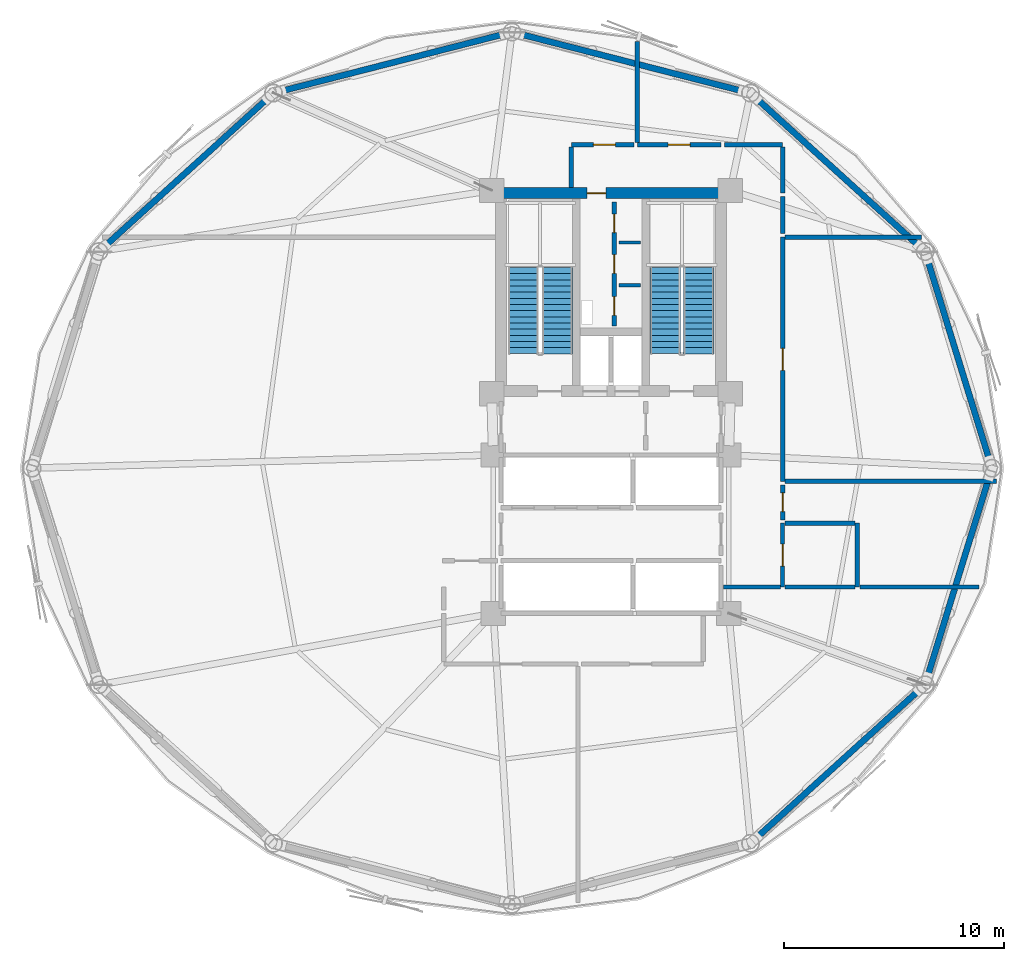
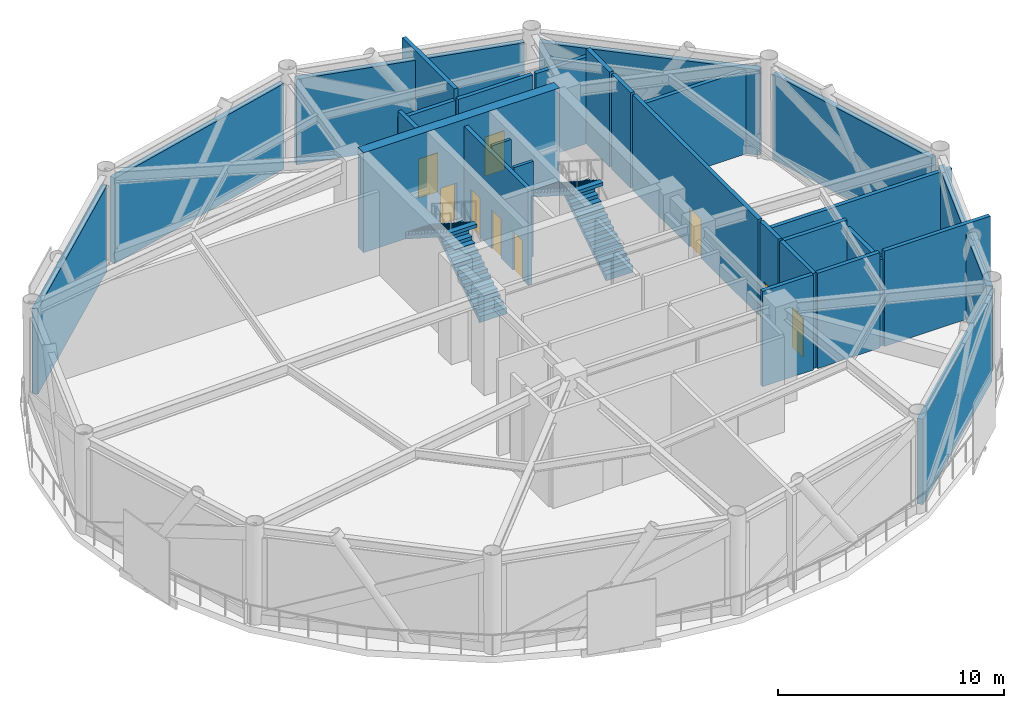
# One storey, part 4 of 8: 28 walls, 9 doors, 4 stair flights, 9 openings, 2 elements without a shape of their own.
"""IFC4 building model written with IfcOpenShell, lengths in metres."""

from ifc_helpers import new_model, si_unit, direction, frame, frame_2d, origin, place, context, subcontext, project, spatial, polyline, rectangle, outline, extrude, material, layer, layer_set, type_object, element, fill, aggregate, save


model = new_model("IFC4")

# Units and contexts
model_context = context("Model", 3, precision=1e-05, world=origin(), true_north=direction((0.0, 1.0)))
body_context = subcontext(model_context, "Body", "Model", "MODEL_VIEW")
ifc_project = project(units=[si_unit("LENGTHUNIT", "METRE"), si_unit("AREAUNIT", "SQUARE_METRE"), si_unit("VOLUMEUNIT", "CUBIC_METRE"), si_unit("PLANEANGLEUNIT", "RADIAN"), si_unit("MASSUNIT", "GRAM", prefix="KILO")], contexts=[model_context])

# Site, building, storey
site_placement = place(None, origin())
site = spatial("IfcSite", under=ifc_project, at=site_placement, CompositionType="ELEMENT")
building_placement = place(site_placement, origin())
building = spatial("IfcBuilding", under=site, at=building_placement, Name="Varnakorn Sky Granary", CompositionType="ELEMENT")
storey_placement = place(building_placement, frame((0.0, 0.0, 78.300048828125)))
storey = spatial("IfcBuildingStorey", under=building, at=storey_placement, Name="L19", CompositionType="ELEMENT", Elevation=78.300048828125)

# Wall, opening, door
ifc_material_1 = material(Name="Concrete C60/75", Category="concrete")
ifc_layer_1 = layer(ifc_material_1, 0.5, Name="Concrete C60/75")
ifc_layer_set_1 = layer_set([ifc_layer_1], Name="Concrete C60/75")
wall_type_1 = type_object("IfcWallType", Name="WT-CW-SHEAR-500", PredefinedType="SHEAR", material=ifc_layer_set_1)
wall_1_placement = place(storey_placement, frame((-2.0, 12.5, 0.0), z_axis=(0.0, 0.0, 1.0), x_axis=(1.0, 0.0, 0.0)))
wall_1 = element("IfcWall", 1, at=wall_1_placement, inside=storey, type_object=wall_type_1, Name="Core North Shear Wall L19", PredefinedType="SHEAR", context=body_context, shape_type="SweptSolid", body=[
    extrude(rectangle(XDim=10.0, YDim=0.5, at=frame_2d((5.0, 0.0))), origin(), (0.0, 0.0, 1.0), 5.391845703125),
])
opening_1_placement = place(wall_1_placement, frame((3.919921875, 0.0, 0.0)))
opening_1 = element("IfcOpeningElement", 2, at=opening_1_placement, cuts=wall_1, Name="Opening FD-60N", PredefinedType="OPENING", context=body_context, shape_type="SweptSolid", body=[
    extrude(rectangle(XDim=0.85009765625, YDim=2.10009765625, at=frame_2d((0.425048828125, 1.050048828125))), frame((0.0, 0.260009765625, 0.0), z_axis=(0.0, -1.0, 0.0), x_axis=(1.0, 0.0, 0.0)), (0.0, 0.0, 1.0), 0.52001953125),
])
ifc_material_2 = material(Name="Acoustic Timber Fire Leaf", Category="wood")
door_type_1 = type_object("IfcDoorType", Name="DR-FD60-850", OperationType="NOTDEFINED", PredefinedType="DOOR", material=ifc_material_2)
door_1_placement = place(opening_1_placement, origin())
door_1 = element("IfcDoor", 3, at=door_1_placement, inside=storey, type_object=door_type_1, Name="Core North Service Door L19", OperationType="SINGLE_SWING_LEFT", OverallHeight=2.10009765625, OverallWidth=0.85009765625, PredefinedType="DOOR", context=body_context, shape_type="SweptSolid", body=[
    extrude(rectangle(XDim=0.85009765625, YDim=2.10009765625, at=frame_2d((0.425048828125, 1.050048828125))), frame((0.0, 0.02490234375, 0.0), z_axis=(0.0, -1.0, 0.0), x_axis=(1.0, 0.0, 0.0)), (0.0, 0.0, 1.0), 0.050048828125),
])
fill(opening_1, door_1)

# Walls
ifc_material_3 = material(Name="Precast concrete C40/50", Category="concrete")
ifc_layer_2 = layer(ifc_material_3, 0.280029296875, Name="Precast concrete C40/50")
ifc_layer_set_2 = layer_set([ifc_layer_2], Name="Precast concrete C40/50")
wall_type_2 = type_object("IfcWallType", Name="WT-EW-CRN-280", PredefinedType="SOLIDWALL", material=ifc_layer_set_2)
wall_2_placement = place(storey_placement, frame((17.378662109375, 9.49658203125, 0.0), z_axis=(0.0, 0.0, 1.0), x_axis=(0.295035078494, -0.955486421912, 0.0)))
element("IfcWall", 4, at=wall_2_placement, inside=storey, type_object=wall_type_2, Name="Agritech Insulated Precast Facade Wall L19-P01", PredefinedType="SOLIDWALL", context=body_context, shape_type="SweptSolid", body=[
    extrude(rectangle(XDim=9.577392578125, YDim=0.280029296875, at=frame_2d((4.78857421875, 0.0))), origin(), (0.0, 0.0, 1.0), 4.60986328125),
])
wall_3_placement = place(storey_placement, frame((9.605712890625, 16.8037109375, 0.0), z_axis=(0.0, 0.0, 1.0), x_axis=(0.740304733589, -0.672271449212, 0.0)))
element("IfcWall", 5, at=wall_3_placement, inside=storey, type_object=wall_type_2, Name="Agritech Insulated Precast Facade Wall L19-P02", PredefinedType="SOLIDWALL", context=body_context, shape_type="SweptSolid", body=[
    extrude(rectangle(XDim=9.994140625, YDim=0.280029296875, at=frame_2d((4.9970703125, 0.0))), origin(), (0.0, 0.0, 1.0), 4.60986328125),
])
for number, where, z_axis, x_axis, name in (
    (6, (-1.14990234375, 19.7294921875, 0.0), (0.0, 0.0, 1.0), (0.968810650848, -0.247802184825, 0.0), "Agritech Insulated Precast Facade Wall L19-P03"),
    (7, (-11.98779296875, 17.136474609375, 0.0), (0.0, 0.0, 1.0), (0.968810650848, 0.247802184825, 0.0), "Agritech Insulated Precast Facade Wall L19-P04"),
):
    element("IfcWall", number, at=place(storey_placement, frame(where, z_axis=z_axis, x_axis=x_axis)), inside=storey, type_object=wall_type_2, Name=name, PredefinedType="SOLIDWALL", context=body_context, shape_type="SweptSolid", body=[
        extrude(rectangle(XDim=10.464111328125, YDim=0.280029296875, at=frame_2d((5.23193359375, 0.0))), origin(), (0.0, 0.0, 1.0), 4.60986328125),
    ])
for number, where, z_axis, x_axis, name in (
    (8, (-20.00439453125, 10.0849609375, 0.0), (0.0, 0.0, 1.0), (0.740304733589, 0.672271449212, 0.0), "Agritech Insulated Precast Facade Wall L19-P05"),
    (9, (17.00439453125, -10.0849609375, 0.0), (0.0, 0.0, 1.0), (-0.740304733589, -0.672271449212, 0.0), "Agritech Insulated Precast Facade Wall L19-P11"),
):
    element("IfcWall", number, at=place(storey_placement, frame(where, z_axis=z_axis, x_axis=x_axis)), inside=storey, type_object=wall_type_2, Name=name, PredefinedType="SOLIDWALL", context=body_context, shape_type="SweptSolid", body=[
        extrude(rectangle(XDim=9.994140625, YDim=0.280029296875, at=frame_2d((4.9970703125, 0.0))), origin(), (0.0, 0.0, 1.0), 4.60986328125),
    ])
wall_4_placement = place(storey_placement, frame((20.204345703125, -0.345458984375, 0.0), z_axis=(0.0, 0.0, 1.0), x_axis=(-0.295035078494, -0.955486421912, 0.0)))
element("IfcWall", 10, at=wall_4_placement, inside=storey, type_object=wall_type_2, Name="Agritech Insulated Precast Facade Wall L19-P12", PredefinedType="SOLIDWALL", context=body_context, shape_type="SweptSolid", body=[
    extrude(rectangle(XDim=9.577392578125, YDim=0.280029296875, at=frame_2d((4.78857421875, 0.0))), origin(), (0.0, 0.0, 1.0), 4.60986328125),
])

# Wall, openings, doors
ifc_material_4 = material(Name="Autoclaved Aerated Concrete Blockwork", Category="masonry")
ifc_layer_3 = layer(ifc_material_4, 0.199951171875, Name="Autoclaved Aerated Concrete Blockwork")
ifc_layer_set_3 = layer_set([ifc_layer_3], Name="Autoclaved Aerated Concrete Blockwork")
wall_type_3 = type_object("IfcWallType", Name="WT-FIRE-200", PredefinedType="MOVABLE", material=ifc_layer_set_3)
wall_5_placement = place(storey_placement, frame((3.14990234375, 6.449951171875, 0.0), z_axis=(0.0, 0.0, 1.0), x_axis=(0.0, 1.0, 0.0)))
wall_5 = element("IfcWall", 11, at=wall_5_placement, inside=storey, type_object=wall_type_3, Name="Interior Partition Wall L19-015", PredefinedType="MOVABLE", context=body_context, shape_type="SweptSolid", body=[
    extrude(rectangle(XDim=5.650146484375, YDim=0.199951171875, at=frame_2d((2.8251953125, 0.0))), origin(), (0.0, 0.0, 1.0), 5.139892578125),
])
opening_2_placement = place(wall_5_placement, frame((0.5, 0.0, 0.0)))
opening_2 = element("IfcOpeningElement", 12, at=opening_2_placement, cuts=wall_5, Name="Opening FD-60N", PredefinedType="OPENING", context=body_context, shape_type="SweptSolid", body=[
    extrude(rectangle(XDim=0.85009765625, YDim=2.10009765625, at=frame_2d((0.425048828125, 1.050048828125))), frame((0.0, 0.10986328125, 0.0), z_axis=(0.0, -1.0, 0.0), x_axis=(1.0, 0.0, 0.0)), (0.0, 0.0, 1.0), 0.219970703125),
])
opening_3_placement = place(wall_5_placement, frame((2.39990234375, 0.0, 0.0)))
opening_3 = element("IfcOpeningElement", 13, at=opening_3_placement, cuts=wall_5, Name="Opening FD-60N", PredefinedType="OPENING", context=body_context, shape_type="SweptSolid", body=[
    extrude(rectangle(XDim=0.85009765625, YDim=2.10009765625, at=frame_2d((0.425048828125, 1.050048828125))), frame((0.0, 0.10986328125, 0.0), z_axis=(0.0, -1.0, 0.0), x_axis=(1.0, 0.0, 0.0)), (0.0, 0.0, 1.0), 0.219970703125),
])
opening_4_placement = place(wall_5_placement, frame((4.25, 0.0, 0.0)))
opening_4 = element("IfcOpeningElement", 14, at=opening_4_placement, cuts=wall_5, Name="Opening FD-60N", PredefinedType="OPENING", context=body_context, shape_type="SweptSolid", body=[
    extrude(rectangle(XDim=0.85009765625, YDim=2.10009765625, at=frame_2d((0.425048828125, 1.050048828125))), frame((0.0, 0.10986328125, 0.0), z_axis=(0.0, -1.0, 0.0), x_axis=(1.0, 0.0, 0.0)), (0.0, 0.0, 1.0), 0.219970703125),
])
door_2_placement = place(opening_2_placement, origin())
door_2 = element("IfcDoor", 15, at=door_2_placement, inside=storey, type_object=door_type_1, Name="Interior Door L19-015-1", OperationType="SINGLE_SWING_RIGHT", OverallHeight=2.10009765625, OverallWidth=0.85009765625, PredefinedType="DOOR", context=body_context, shape_type="SweptSolid", body=[
    extrude(rectangle(XDim=0.85009765625, YDim=2.10009765625, at=frame_2d((0.425048828125, 1.050048828125))), frame((0.0, 0.02490234375, 0.0), z_axis=(0.0, -1.0, 0.0), x_axis=(1.0, 0.0, 0.0)), (0.0, 0.0, 1.0), 0.050048828125),
])
fill(opening_2, door_2)
door_3_placement = place(opening_3_placement, origin())
door_3 = element("IfcDoor", 16, at=door_3_placement, inside=storey, type_object=door_type_1, Name="Interior Door L19-015-2", OperationType="SINGLE_SWING_LEFT", OverallHeight=2.10009765625, OverallWidth=0.85009765625, PredefinedType="DOOR", context=body_context, shape_type="SweptSolid", body=[
    extrude(rectangle(XDim=0.85009765625, YDim=2.10009765625, at=frame_2d((0.425048828125, 1.050048828125))), frame((0.0, 0.02490234375, 0.0), z_axis=(0.0, -1.0, 0.0), x_axis=(1.0, 0.0, 0.0)), (0.0, 0.0, 1.0), 0.050048828125),
])
fill(opening_3, door_3)
door_4_placement = place(opening_4_placement, origin())
door_4 = element("IfcDoor", 17, at=door_4_placement, inside=storey, type_object=door_type_1, Name="Interior Door L19-015-3", OperationType="SINGLE_SWING_RIGHT", OverallHeight=2.10009765625, OverallWidth=0.85009765625, PredefinedType="DOOR", context=body_context, shape_type="SweptSolid", body=[
    extrude(rectangle(XDim=0.85009765625, YDim=2.10009765625, at=frame_2d((0.425048828125, 1.050048828125))), frame((0.0, 0.02490234375, 0.0), z_axis=(0.0, -1.0, 0.0), x_axis=(1.0, 0.0, 0.0)), (0.0, 0.0, 1.0), 0.050048828125),
])
fill(opening_4, door_4)

# Wall, opening, door
wall_6_placement = place(storey_placement, frame((8.0, 14.699951171875, 0.0), z_axis=(0.0, 0.0, 1.0), x_axis=(-1.0, 0.0, 0.0)))
wall_6 = element("IfcWall", 18, at=wall_6_placement, inside=storey, type_object=wall_type_3, Name="Interior Partition Wall L19-023", PredefinedType="MOVABLE", context=body_context, shape_type="SweptSolid", body=[
    extrude(rectangle(XDim=3.800048828125, YDim=0.199951171875, at=frame_2d((1.89990234375, 0.0))), origin(), (0.0, 0.0, 1.0), 4.671875),
])
opening_5_placement = place(wall_6_placement, frame((1.39990234375, 0.0, 0.0)))
opening_5 = element("IfcOpeningElement", 19, at=opening_5_placement, cuts=wall_6, Name="Opening FD-60", PredefinedType="OPENING", context=body_context, shape_type="SweptSolid", body=[
    extrude(rectangle(XDim=1.0, YDim=2.10009765625, at=frame_2d((0.5, 1.050048828125))), frame((0.0, 0.10986328125, 0.0), z_axis=(0.0, -1.0, 0.0), x_axis=(1.0, 0.0, 0.0)), (0.0, 0.0, 1.0), 0.219970703125),
])
door_type_2 = type_object("IfcDoorType", Name="DR-FD60-1000", OperationType="NOTDEFINED", PredefinedType="DOOR", material=ifc_material_2)
door_5_placement = place(opening_5_placement, origin())
door_5 = element("IfcDoor", 20, at=door_5_placement, inside=storey, type_object=door_type_2, Name="Interior Door L19-023-1", OperationType="SINGLE_SWING_RIGHT", OverallHeight=2.10009765625, OverallWidth=1.0, PredefinedType="DOOR", context=body_context, shape_type="SweptSolid", body=[
    extrude(rectangle(XDim=1.0, YDim=2.10009765625, at=frame_2d((0.5, 1.050048828125))), frame((0.0, 0.02490234375, 0.0), z_axis=(0.0, -1.0, 0.0), x_axis=(1.0, 0.0, 0.0)), (0.0, 0.0, 1.0), 0.050048828125),
])
fill(opening_5, door_5)

wall_7_placement = place(storey_placement, frame((4.0400390625, 14.699951171875, 0.0), z_axis=(0.0, 0.0, 1.0), x_axis=(-1.0, 0.0, 0.0)))
wall_7 = element("IfcWall", 21, at=wall_7_placement, inside=storey, type_object=wall_type_3, Name="Interior Partition Wall L19-024", PredefinedType="MOVABLE", context=body_context, shape_type="SweptSolid", body=[
    extrude(rectangle(XDim=2.840087890625, YDim=0.199951171875, at=frame_2d((1.419921875, 0.0))), origin(), (0.0, 0.0, 1.0), 4.671875),
])
opening_6_placement = place(wall_7_placement, frame((0.840087890625, 0.0, 0.0)))
opening_6 = element("IfcOpeningElement", 22, at=opening_6_placement, cuts=wall_7, Name="Opening FD-60", PredefinedType="OPENING", context=body_context, shape_type="SweptSolid", body=[
    extrude(rectangle(XDim=1.0, YDim=2.10009765625, at=frame_2d((0.5, 1.050048828125))), frame((0.0, 0.10986328125, 0.0), z_axis=(0.0, -1.0, 0.0), x_axis=(1.0, 0.0, 0.0)), (0.0, 0.0, 1.0), 0.219970703125),
])
door_6_placement = place(opening_6_placement, origin())
door_6 = element("IfcDoor", 23, at=door_6_placement, inside=storey, type_object=door_type_2, Name="Interior Door L19-024-1", OperationType="SINGLE_SWING_LEFT", OverallHeight=2.10009765625, OverallWidth=1.0, PredefinedType="DOOR", context=body_context, shape_type="SweptSolid", body=[
    extrude(rectangle(XDim=1.0, YDim=2.10009765625, at=frame_2d((0.5, 1.050048828125))), frame((0.0, 0.02490234375, 0.0), z_axis=(0.0, -1.0, 0.0), x_axis=(1.0, 0.0, 0.0)), (0.0, 0.0, 1.0), 0.050048828125),
])
fill(opening_6, door_6)

wall_8_placement = place(storey_placement, frame((10.800048828125, -0.60009765625, 0.0), z_axis=(0.0, 0.0, 1.0), x_axis=(0.0, 1.0, 0.0)))
wall_8 = element("IfcWall", 24, at=wall_8_placement, inside=storey, type_object=wall_type_3, Name="Interior Partition Wall L19-025", PredefinedType="MOVABLE", context=body_context, shape_type="SweptSolid", body=[
    extrude(rectangle(XDim=11.10009765625, YDim=0.199951171875, at=frame_2d((5.550048828125, 0.0))), origin(), (0.0, 0.0, 1.0), 5.139892578125),
])
opening_7_placement = place(wall_8_placement, frame((5.050048828125, 0.0, 0.0)))
opening_7 = element("IfcOpeningElement", 25, at=opening_7_placement, cuts=wall_8, Name="Opening FD-60", PredefinedType="OPENING", context=body_context, shape_type="SweptSolid", body=[
    extrude(rectangle(XDim=1.0, YDim=2.10009765625, at=frame_2d((0.5, 1.050048828125))), frame((0.0, 0.10986328125, 0.0), z_axis=(0.0, -1.0, 0.0), x_axis=(1.0, 0.0, 0.0)), (0.0, 0.0, 1.0), 0.219970703125),
])
door_7_placement = place(opening_7_placement, origin())
door_7 = element("IfcDoor", 26, at=door_7_placement, inside=storey, type_object=door_type_2, Name="Interior Door L19-025-1", OperationType="SINGLE_SWING_RIGHT", OverallHeight=2.10009765625, OverallWidth=1.0, PredefinedType="DOOR", context=body_context, shape_type="SweptSolid", body=[
    extrude(rectangle(XDim=1.0, YDim=2.10009765625, at=frame_2d((0.5, 1.050048828125))), frame((0.0, 0.02490234375, 0.0), z_axis=(0.0, -1.0, 0.0), x_axis=(1.0, 0.0, 0.0)), (0.0, 0.0, 1.0), 0.050048828125),
])
fill(opening_7, door_7)

wall_9_placement = place(storey_placement, frame((10.800048828125, -2.35009765625, 0.0), z_axis=(0.0, 0.0, 1.0), x_axis=(0.0, 1.0, 0.0)))
wall_9 = element("IfcWall", 27, at=wall_9_placement, inside=storey, type_object=wall_type_3, Name="Interior Partition Wall L19-026", PredefinedType="MOVABLE", context=body_context, shape_type="SweptSolid", body=[
    extrude(rectangle(XDim=1.590087890625, YDim=0.199951171875, at=frame_2d((0.794921875, 0.0))), origin(), (0.0, 0.0, 1.0), 5.139892578125),
])
opening_8_placement = place(wall_9_placement, frame((0.375, 0.0, 0.0)))
opening_8 = element("IfcOpeningElement", 28, at=opening_8_placement, cuts=wall_9, Name="Opening FD-60N", PredefinedType="OPENING", context=body_context, shape_type="SweptSolid", body=[
    extrude(rectangle(XDim=0.85009765625, YDim=2.10009765625, at=frame_2d((0.425048828125, 1.050048828125))), frame((0.0, 0.10986328125, 0.0), z_axis=(0.0, -1.0, 0.0), x_axis=(1.0, 0.0, 0.0)), (0.0, 0.0, 1.0), 0.219970703125),
])
door_8_placement = place(opening_8_placement, origin())
door_8 = element("IfcDoor", 29, at=door_8_placement, inside=storey, type_object=door_type_1, Name="Interior Door L19-026-1", OperationType="SINGLE_SWING_LEFT", OverallHeight=2.10009765625, OverallWidth=0.85009765625, PredefinedType="DOOR", context=body_context, shape_type="SweptSolid", body=[
    extrude(rectangle(XDim=0.85009765625, YDim=2.10009765625, at=frame_2d((0.425048828125, 1.050048828125))), frame((0.0, 0.02490234375, 0.0), z_axis=(0.0, -1.0, 0.0), x_axis=(1.0, 0.0, 0.0)), (0.0, 0.0, 1.0), 0.050048828125),
])
fill(opening_8, door_8)

# Walls
wall_10_placement = place(storey_placement, frame((10.800048828125, 14.699951171875, 0.0), z_axis=(0.0, 0.0, 1.0), x_axis=(-1.0, 0.0, 0.0)))
element("IfcWall", 30, at=wall_10_placement, inside=storey, type_object=wall_type_3, Name="Interior Partition Wall L19-032", PredefinedType="MOVABLE", context=body_context, shape_type="SweptSolid", body=[
    extrude(rectangle(XDim=2.64013671875, YDim=0.199951171875, at=frame_2d((1.320068359375, 0.0))), origin(), (0.0, 0.0, 1.0), 4.671875),
])
wall_11_placement = place(storey_placement, frame((10.800048828125, 12.5, 0.0), z_axis=(0.0, 0.0, 1.0), x_axis=(0.0, 1.0, 0.0)))
element("IfcWall", 31, at=wall_11_placement, inside=storey, type_object=wall_type_3, Name="Interior Partition Wall L19-033", PredefinedType="MOVABLE", context=body_context, shape_type="SweptSolid", body=[
    extrude(rectangle(XDim=2.090087890625, YDim=0.199951171875, at=frame_2d((1.044921875, 0.0))), origin(), (0.0, 0.0, 1.0), 5.139892578125),
])
wall_12_placement = place(storey_placement, frame((10.800048828125, 10.659912109375, 0.0), z_axis=(0.0, 0.0, 1.0), x_axis=(0.0, 1.0, 0.0)))
element("IfcWall", 32, at=wall_12_placement, inside=storey, type_object=wall_type_3, Name="Interior Partition Wall L19-034", PredefinedType="MOVABLE", context=body_context, shape_type="SweptSolid", body=[
    extrude(rectangle(XDim=1.68017578125, YDim=0.199951171875, at=frame_2d((0.840087890625, 0.0))), origin(), (0.0, 0.0, 1.0), 5.139892578125),
])
wall_13_placement = place(storey_placement, frame((1.199951171875, 14.590087890625, 0.0), z_axis=(0.0, 0.0, 1.0), x_axis=(0.0, -1.0, 0.0)))
element("IfcWall", 33, at=wall_13_placement, inside=storey, type_object=wall_type_3, Name="Interior Partition Wall L19-035", PredefinedType="MOVABLE", context=body_context, shape_type="SweptSolid", body=[
    extrude(rectangle(XDim=1.830078125, YDim=0.199951171875, at=frame_2d((0.9150390625, 0.0))), origin(), (0.0, 0.0, 1.0), 5.139892578125),
])
wall_14_placement = place(storey_placement, frame((8.110107421875, -5.39990234375, 0.0), z_axis=(0.0, 0.0, 1.0), x_axis=(1.0, 0.0, 0.0)))
element("IfcWall", 34, at=wall_14_placement, inside=storey, type_object=wall_type_3, Name="Interior Partition Wall L19-039", PredefinedType="MOVABLE", context=body_context, shape_type="SweptSolid", body=[
    extrude(rectangle(XDim=2.58984375, YDim=0.199951171875, at=frame_2d((1.294921875, 0.0))), origin(), (0.0, 0.0, 1.0), 5.139892578125),
])
wall_15_placement = place(storey_placement, frame((14.199951171875, -2.5, 0.0), z_axis=(0.0, 0.0, 1.0), x_axis=(0.0, -1.0, 0.0)))
element("IfcWall", 35, at=wall_15_placement, inside=storey, type_object=wall_type_3, Name="Interior Partition Wall L19-041", PredefinedType="MOVABLE", context=body_context, shape_type="SweptSolid", body=[
    extrude(rectangle(XDim=2.89990234375, YDim=0.199951171875, at=frame_2d((1.449951171875, 0.0))), origin(), (0.0, 0.0, 1.0), 4.671875),
])
wall_16_placement = place(storey_placement, frame((10.89990234375, -2.5, 0.0), z_axis=(0.0, 0.0, 1.0), x_axis=(1.0, 0.0, 0.0)))
element("IfcWall", 36, at=wall_16_placement, inside=storey, type_object=wall_type_3, Name="Interior Partition Wall L19-042", PredefinedType="MOVABLE", context=body_context, shape_type="SweptSolid", body=[
    extrude(rectangle(XDim=3.190185546875, YDim=0.199951171875, at=frame_2d((1.59521484375, 0.0))), origin(), (0.0, 0.0, 1.0), 5.139892578125),
])
wall_17_placement = place(storey_placement, frame((14.090087890625, -5.39990234375, 0.0), z_axis=(0.0, 0.0, 1.0), x_axis=(-1.0, 0.0, 0.0)))
element("IfcWall", 37, at=wall_17_placement, inside=storey, type_object=wall_type_3, Name="Interior Partition Wall L19-043", PredefinedType="MOVABLE", context=body_context, shape_type="SweptSolid", body=[
    extrude(rectangle(XDim=3.18017578125, YDim=0.199951171875, at=frame_2d((1.590087890625, 0.0))), origin(), (0.0, 0.0, 1.0), 5.139892578125),
])
wall_18_placement = place(storey_placement, frame((4.199951171875, 14.81005859375, 0.0), z_axis=(0.0, 0.0, 1.0), x_axis=(0.0, 1.0, 0.0)))
element("IfcWall", 38, at=wall_18_placement, inside=storey, type_object=wall_type_3, Name="Interior Partition Wall L19-044", PredefinedType="MOVABLE", context=body_context, shape_type="SweptSolid", body=[
    extrude(rectangle(XDim=4.5908203125, YDim=0.199951171875, at=frame_2d((2.29541015625, 0.0))), origin(), (0.0, 0.0, 1.0), 5.139892578125),
])
wall_19_placement = place(storey_placement, frame((17.10888671875, 10.5, 0.0), z_axis=(0.0, 0.0, 1.0), x_axis=(-1.0, 0.0, 0.0)))
element("IfcWall", 39, at=wall_19_placement, inside=storey, type_object=wall_type_3, Name="Interior Partition Wall L19-045", PredefinedType="MOVABLE", context=body_context, shape_type="SweptSolid", body=[
    extrude(rectangle(XDim=6.198974609375, YDim=0.199951171875, at=frame_2d((3.099609375, 0.0))), origin(), (0.0, 0.0, 1.0), 4.52197265625),
])
wall_20_placement = place(storey_placement, frame((20.529052734375, -0.60009765625, 0.0), z_axis=(0.0, 0.0, 1.0), x_axis=(-1.0, 0.0, 0.0)))
element("IfcWall", 40, at=wall_20_placement, inside=storey, type_object=wall_type_3, Name="Interior Partition Wall L19-046", PredefinedType="MOVABLE", context=body_context, shape_type="SweptSolid", body=[
    extrude(rectangle(XDim=9.619140625, YDim=0.199951171875, at=frame_2d((4.8095703125, 0.0))), origin(), (0.0, 0.0, 1.0), 4.52197265625),
])
wall_21_placement = place(storey_placement, frame((19.72802734375, -5.39990234375, 0.0), z_axis=(0.0, 0.0, 1.0), x_axis=(-1.0, 0.0, 0.0)))
element("IfcWall", 41, at=wall_21_placement, inside=storey, type_object=wall_type_3, Name="Interior Partition Wall L19-047", PredefinedType="MOVABLE", context=body_context, shape_type="SweptSolid", body=[
    extrude(rectangle(XDim=5.41796875, YDim=0.199951171875, at=frame_2d((2.708984375, 0.0))), origin(), (0.0, 0.0, 1.0), 5.139892578125),
])
ifc_material_5 = material(Name="Gypsum Plasterboard on Steel Stud", Category="steel")
ifc_layer_4 = layer(ifc_material_5, 0.14990234375, Name="Gypsum Plasterboard on Steel Stud")
ifc_layer_set_4 = layer_set([ifc_layer_4], Name="Gypsum Plasterboard on Steel Stud")
wall_type_4 = type_object("IfcWallType", Name="WT-PART-150", PredefinedType="PARTITIONING", material=ifc_layer_set_4)
for number, where, z_axis, x_axis, name in (
    (42, (3.3701171875, 8.320068359375, 0.0), (0.0, 0.0, 1.0), (1.0, 0.0, 0.0), "Interior Partition Wall L19-029"),
    (43, (3.3701171875, 10.260009765625, 0.0), (0.0, 0.0, 1.0), (1.0, 0.0, 0.0), "Interior Partition Wall L19-030"),
):
    element("IfcWall", number, at=place(storey_placement, frame(where, z_axis=z_axis, x_axis=x_axis)), inside=storey, type_object=wall_type_4, Name=name, PredefinedType="PARTITIONING", context=body_context, shape_type="SweptSolid", body=[
        extrude(rectangle(XDim=0.97998046875, YDim=0.14990234375, at=frame_2d((0.489990234375, 0.0))), origin(), (0.0, 0.0, 1.0), 5.139892578125),
    ])

# Wall, opening, door
ifc_material_6 = material(Name="Moisture-Resistant Gypsum on Stud", Category="gypsum")
ifc_layer_5 = layer(ifc_material_6, 0.179931640625, Name="Moisture-Resistant Gypsum on Stud")
ifc_layer_set_5 = layer_set([ifc_layer_5], Name="Moisture-Resistant Gypsum on Stud")
wall_type_5 = type_object("IfcWallType", Name="WT-PLUMB-180", PredefinedType="PLUMBINGWALL", material=ifc_layer_set_5)
wall_22_placement = place(storey_placement, frame((10.800048828125, -5.39990234375, 0.0), z_axis=(0.0, 0.0, 1.0), x_axis=(0.0, 1.0, 0.0)))
wall_22 = element("IfcWall", 44, at=wall_22_placement, inside=storey, type_object=wall_type_5, Name="Interior Partition Wall L19-022", PredefinedType="PLUMBINGWALL", context=body_context, shape_type="SweptSolid", body=[
    extrude(rectangle(XDim=2.89990234375, YDim=0.179931640625, at=frame_2d((1.449951171875, 0.0))), origin(), (0.0, 0.0, 1.0), 5.139892578125),
])
opening_9_placement = place(wall_22_placement, frame((0.949951171875, 0.0, 0.0)))
opening_9 = element("IfcOpeningElement", 45, at=opening_9_placement, cuts=wall_22, Name="Opening ID-100", PredefinedType="OPENING", context=body_context, shape_type="SweptSolid", body=[
    extrude(rectangle(XDim=1.0, YDim=2.10009765625, at=frame_2d((0.5, 1.050048828125))), frame((0.0, 0.10009765625, 0.0), z_axis=(0.0, -1.0, 0.0), x_axis=(1.0, 0.0, 0.0)), (0.0, 0.0, 1.0), 0.199951171875),
])
ifc_material_7 = material(Name="Solid-Core Teak Veneer Leaf", Category="timber")
door_type_3 = type_object("IfcDoorType", Name="DR-INT-1000", OperationType="NOTDEFINED", PredefinedType="DOOR", material=ifc_material_7)
door_9_placement = place(opening_9_placement, origin())
door_9 = element("IfcDoor", 46, at=door_9_placement, inside=storey, type_object=door_type_3, Name="Interior Door L19-022-1", OperationType="SINGLE_SWING_LEFT", OverallHeight=2.10009765625, OverallWidth=1.0, PredefinedType="DOOR", context=body_context, shape_type="SweptSolid", body=[
    extrude(rectangle(XDim=1.0, YDim=2.10009765625, at=frame_2d((0.5, 1.050048828125))), frame((0.0, 0.02490234375, 0.0), z_axis=(0.0, -1.0, 0.0), x_axis=(1.0, 0.0, 0.0)), (0.0, 0.0, 1.0), 0.050048828125),
])
fill(opening_9, door_9)

# Stair, stair flights
ifc_material_8 = material(Name="Concrete C40/50", Category="concrete")
stair_type = type_object("IfcStairType", Name="ST-MAIN-ASSEMBLY", PredefinedType="HALF_TURN_STAIR", material=ifc_material_8)
stair_1_placement = place(storey_placement, origin())
stair_1 = element("IfcStair", 47, at=stair_1_placement, inside=storey, type_object=stair_type, Name="L19 Protected Exit Stair ST-1", PredefinedType="HALF_TURN_STAIR")
stair_flight_type = type_object("IfcStairFlightType", Name="ST-MAIN-FLIGHT", PredefinedType="STRAIGHT", material=ifc_material_8)
stair_flight_1_placement = place(storey_placement, frame((0.550048828125, 5.199951171875, 0.0), z_axis=(0.0, 0.0, 1.0), x_axis=(0.0, 1.0, 0.0)))
stair_flight_1 = element("IfcStairFlight", 48, at=stair_flight_1_placement, type_object=stair_flight_type, Name="ST-1 flight 1", NumberOfRisers=15, NumberOfTreads=14, PredefinedType="STRAIGHT", RiserHeight=0.18, TreadLength=0.28, context=body_context, shape_type="SweptSolid", body=[
    extrude(outline(polyline([(0.0, -0.14990234375), (0.0, 0.0), (0.0, 0.179931640625), (0.280029296875, 0.179931640625), (0.280029296875, 0.360107421875), (0.56005859375, 0.360107421875), (0.56005859375, 0.5400390625), (0.840087890625, 0.5400390625), (0.840087890625, 0.719970703125), (1.1201171875, 0.719970703125), (1.1201171875, 0.89990234375), (1.39990234375, 0.89990234375), (1.39990234375, 1.080078125), (1.679931640625, 1.080078125), (1.679931640625, 1.260009765625), (1.9599609375, 1.260009765625), (1.9599609375, 1.43994140625), (2.239990234375, 1.43994140625), (2.239990234375, 1.6201171875), (2.52001953125, 1.6201171875), (2.52001953125, 1.800048828125), (2.800048828125, 1.800048828125), (2.800048828125, 1.97998046875), (3.080078125, 1.97998046875), (3.080078125, 2.159912109375), (3.360107421875, 2.159912109375), (3.360107421875, 2.340087890625), (3.639892578125, 2.340087890625), (3.639892578125, 2.52001953125), (3.919921875, 2.52001953125), (3.919921875, 2.699951171875), (3.919921875, 2.341796875), (0.050048828125, -0.14990234375), (0.0, -0.14990234375)])), frame((0.0, 0.68994140625, 0.0), z_axis=(0.0, -1.0, 0.0), x_axis=(1.0, 0.0, 0.0)), (0.0, 0.0, 1.0), 1.3798828125),
])
stair_flight_2_placement = place(storey_placement, frame((-0.97998046875, 9.1201171875, 2.699951171875), z_axis=(0.0, 0.0, 1.0), x_axis=(0.0, -1.0, 0.0)))
stair_flight_2 = element("IfcStairFlight", 49, at=stair_flight_2_placement, type_object=stair_flight_type, Name="ST-1 flight 2", NumberOfRisers=15, NumberOfTreads=14, PredefinedType="STRAIGHT", RiserHeight=0.18, TreadLength=0.28, context=body_context, shape_type="SweptSolid", body=[
    extrude(outline(polyline([(0.0, -0.14990234375), (0.0, 0.0), (0.0, 0.179931640625), (0.280029296875, 0.179931640625), (0.280029296875, 0.360107421875), (0.56005859375, 0.360107421875), (0.56005859375, 0.5400390625), (0.840087890625, 0.5400390625), (0.840087890625, 0.719970703125), (1.1201171875, 0.719970703125), (1.1201171875, 0.89990234375), (1.39990234375, 0.89990234375), (1.39990234375, 1.080078125), (1.679931640625, 1.080078125), (1.679931640625, 1.260009765625), (1.9599609375, 1.260009765625), (1.9599609375, 1.43994140625), (2.239990234375, 1.43994140625), (2.239990234375, 1.6201171875), (2.52001953125, 1.6201171875), (2.52001953125, 1.800048828125), (2.800048828125, 1.800048828125), (2.800048828125, 1.97998046875), (3.080078125, 1.97998046875), (3.080078125, 2.159912109375), (3.360107421875, 2.159912109375), (3.360107421875, 2.340087890625), (3.639892578125, 2.340087890625), (3.639892578125, 2.52001953125), (3.919921875, 2.52001953125), (3.919921875, 2.699951171875), (3.919921875, 2.341796875), (0.050048828125, -0.14990234375), (0.0, -0.14990234375)])), frame((0.0, 0.68994140625, 0.0), z_axis=(0.0, -1.0, 0.0), x_axis=(1.0, 0.0, 0.0)), (0.0, 0.0, 1.0), 1.3798828125),
])
aggregate(stair_1, [stair_flight_1, stair_flight_2])

stair_2_placement = place(storey_placement, origin())
stair_2 = element("IfcStair", 50, at=stair_2_placement, inside=storey, type_object=stair_type, Name="L19 Protected Exit Stair ST-2", PredefinedType="HALF_TURN_STAIR")
stair_flight_3_placement = place(storey_placement, frame((6.989990234375, 5.199951171875, 0.0), z_axis=(0.0, 0.0, 1.0), x_axis=(0.0, 1.0, 0.0)))
stair_flight_3 = element("IfcStairFlight", 51, at=stair_flight_3_placement, type_object=stair_flight_type, Name="ST-2 flight 1", NumberOfRisers=15, NumberOfTreads=14, PredefinedType="STRAIGHT", RiserHeight=0.18, TreadLength=0.28, context=body_context, shape_type="SweptSolid", body=[
    extrude(outline(polyline([(0.0, -0.14990234375), (0.0, 0.0), (0.0, 0.179931640625), (0.280029296875, 0.179931640625), (0.280029296875, 0.360107421875), (0.56005859375, 0.360107421875), (0.56005859375, 0.5400390625), (0.840087890625, 0.5400390625), (0.840087890625, 0.719970703125), (1.1201171875, 0.719970703125), (1.1201171875, 0.89990234375), (1.39990234375, 0.89990234375), (1.39990234375, 1.080078125), (1.679931640625, 1.080078125), (1.679931640625, 1.260009765625), (1.9599609375, 1.260009765625), (1.9599609375, 1.43994140625), (2.239990234375, 1.43994140625), (2.239990234375, 1.6201171875), (2.52001953125, 1.6201171875), (2.52001953125, 1.800048828125), (2.800048828125, 1.800048828125), (2.800048828125, 1.97998046875), (3.080078125, 1.97998046875), (3.080078125, 2.159912109375), (3.360107421875, 2.159912109375), (3.360107421875, 2.340087890625), (3.639892578125, 2.340087890625), (3.639892578125, 2.52001953125), (3.919921875, 2.52001953125), (3.919921875, 2.699951171875), (3.919921875, 2.341796875), (0.050048828125, -0.14990234375), (0.0, -0.14990234375)])), frame((0.0, 0.68994140625, 0.0), z_axis=(0.0, -1.0, 0.0), x_axis=(1.0, 0.0, 0.0)), (0.0, 0.0, 1.0), 1.3798828125),
])
stair_flight_4_placement = place(storey_placement, frame((5.4599609375, 9.1201171875, 2.699951171875), z_axis=(0.0, 0.0, 1.0), x_axis=(0.0, -1.0, 0.0)))
stair_flight_4 = element("IfcStairFlight", 52, at=stair_flight_4_placement, type_object=stair_flight_type, Name="ST-2 flight 2", NumberOfRisers=15, NumberOfTreads=14, PredefinedType="STRAIGHT", RiserHeight=0.18, TreadLength=0.28, context=body_context, shape_type="SweptSolid", body=[
    extrude(outline(polyline([(0.0, -0.14990234375), (0.0, 0.0), (0.0, 0.179931640625), (0.280029296875, 0.179931640625), (0.280029296875, 0.360107421875), (0.56005859375, 0.360107421875), (0.56005859375, 0.5400390625), (0.840087890625, 0.5400390625), (0.840087890625, 0.719970703125), (1.1201171875, 0.719970703125), (1.1201171875, 0.89990234375), (1.39990234375, 0.89990234375), (1.39990234375, 1.080078125), (1.679931640625, 1.080078125), (1.679931640625, 1.260009765625), (1.9599609375, 1.260009765625), (1.9599609375, 1.43994140625), (2.239990234375, 1.43994140625), (2.239990234375, 1.6201171875), (2.52001953125, 1.6201171875), (2.52001953125, 1.800048828125), (2.800048828125, 1.800048828125), (2.800048828125, 1.97998046875), (3.080078125, 1.97998046875), (3.080078125, 2.159912109375), (3.360107421875, 2.159912109375), (3.360107421875, 2.340087890625), (3.639892578125, 2.340087890625), (3.639892578125, 2.52001953125), (3.919921875, 2.52001953125), (3.919921875, 2.699951171875), (3.919921875, 2.341796875), (0.050048828125, -0.14990234375), (0.0, -0.14990234375)])), frame((0.0, 0.68994140625, 0.0), z_axis=(0.0, -1.0, 0.0), x_axis=(1.0, 0.0, 0.0)), (0.0, 0.0, 1.0), 1.3798828125),
])
aggregate(stair_2, [stair_flight_3, stair_flight_4])

save(model, "model.ifc")
